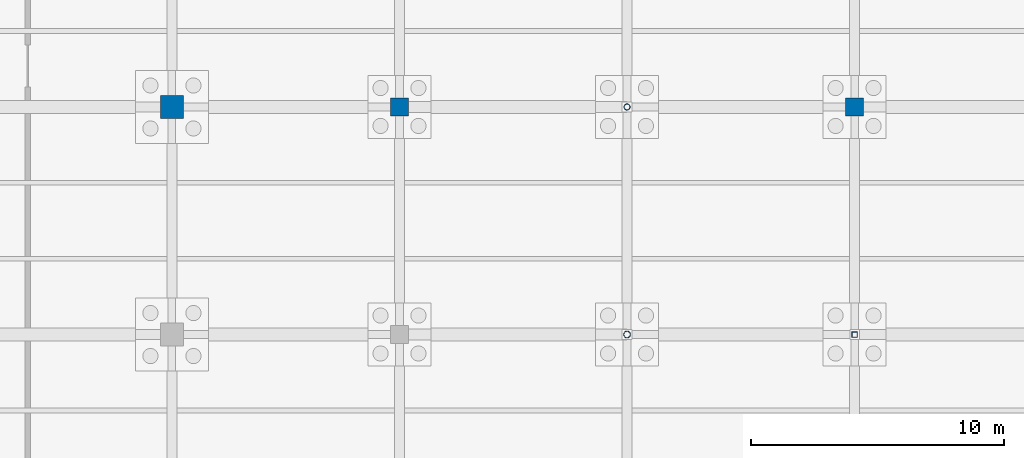
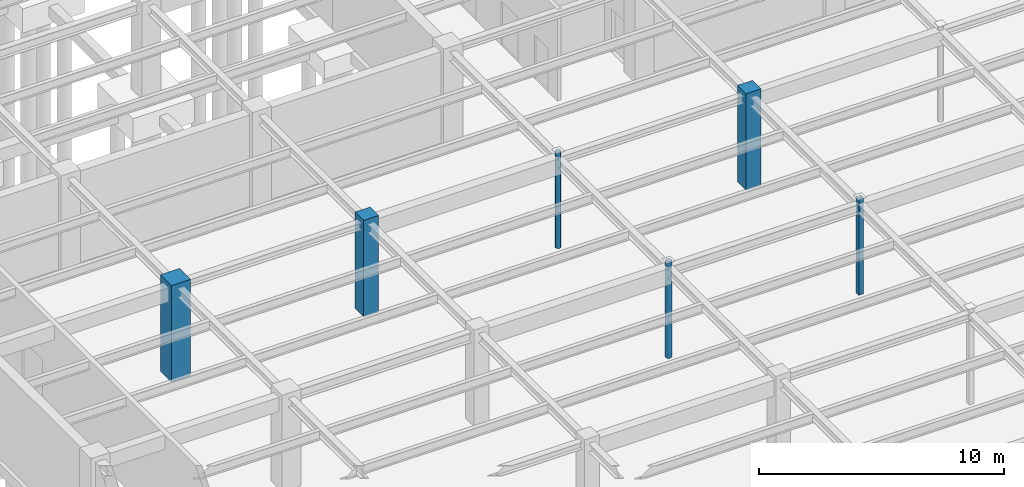
# One storey, part 20 of 49: 6 columns.
"""IFC4 building model written with IfcOpenShell, lengths in metres."""

from ifc_helpers import new_model, si_unit, direction, frame, origin, origin_2d, place, context, subcontext, project, spatial, rectangle, hollow_rectangle, hollow_circle, extrude, material, material_profile, profile_set, type_object, element, save


model = new_model("IFC4")

# Units and contexts
model_context = context("Model", 3, precision=1e-05, world=origin(), true_north=direction((0.0, 1.0)))
body_context = subcontext(model_context, "Body", "Model", "MODEL_VIEW")
ifc_project = project(units=[si_unit("LENGTHUNIT", "METRE"), si_unit("AREAUNIT", "SQUARE_METRE"), si_unit("VOLUMEUNIT", "CUBIC_METRE"), si_unit("PLANEANGLEUNIT", "RADIAN"), si_unit("MASSUNIT", "GRAM", prefix="KILO")], contexts=[model_context])

# Site, building, storey
site_placement = place(None, origin())
site = spatial("IfcSite", under=ifc_project, at=site_placement, CompositionType="ELEMENT")
building_placement = place(site_placement, origin())
building = spatial("IfcBuilding", under=site, at=building_placement, Name="Lykobir Media Centre", CompositionType="ELEMENT")
storey_placement = place(building_placement, frame((0.0, 0.0, -4.800048828125)))
storey = spatial("IfcBuildingStorey", under=building, at=storey_placement, Name="B1", CompositionType="ELEMENT", Elevation=-4.800048828125)

# Columns
ifc_material_1 = material(Name="Concrete C40/50", Category="concrete")
ifc_material_profile_1 = material_profile(ifc_material_1, rectangle(XDim=0.699951171875, YDim=0.699951171875, at=origin_2d()), Name="RC 700x700")
ifc_profile_set_1 = profile_set([ifc_material_profile_1], Name="Concrete C40/50")
column_type_1 = type_object("IfcColumnType", Name="RC-C700", PredefinedType="COLUMN", material=ifc_profile_set_1)
for number, where, z_axis, x_axis, name in (
    (1, (108.0, 63.0, 0.0), (0.0, 0.0, 1.0), (1.0, 0.0, 0.0), "Column COL-B1-1080-0630"),
    (2, (126.0, 63.0, 0.0), (0.0, 0.0, 1.0), (1.0, 0.0, 0.0), "Column COL-B1-1260-0630"),
):
    element("IfcColumn", number, at=place(storey_placement, frame(where, z_axis=z_axis, x_axis=x_axis)), inside=storey, type_object=column_type_1, Name=name, PredefinedType="COLUMN", context=body_context, shape_type="SweptSolid", body=[
        extrude(rectangle(XDim=0.699951171875, YDim=0.699951171875, at=origin_2d()), origin(), (0.0, 0.0, 1.0), 4.800048828125),
    ])
ifc_material_profile_2 = material_profile(ifc_material_1, rectangle(XDim=0.89990234375, YDim=0.89990234375, at=origin_2d()), Name="RC 900x900")
ifc_profile_set_2 = profile_set([ifc_material_profile_2], Name="Concrete C40/50")
column_type_2 = type_object("IfcColumnType", Name="RC-C900", PredefinedType="COLUMN", material=ifc_profile_set_2)
column_1_placement = place(storey_placement, frame((99.0, 63.0, 0.0), z_axis=(0.0, 0.0, 1.0), x_axis=(1.0, 0.0, 0.0)))
element("IfcColumn", 3, at=column_1_placement, inside=storey, type_object=column_type_2, Name="Column COL-B1-0990-0630", PredefinedType="COLUMN", context=body_context, shape_type="SweptSolid", body=[
    extrude(rectangle(XDim=0.89990234375, YDim=0.89990234375, at=origin_2d()), origin(), (0.0, 0.0, 1.0), 4.800048828125),
])
ifc_material_2 = material(Name="Steel S355", Category="steel")
ifc_material_profile_3 = material_profile(ifc_material_2, hollow_circle(Radius=0.122314453125, WallThickness=0.012451171875, at=origin_2d()), Name="CHS 244.5x12.5")
ifc_profile_set_3 = profile_set([ifc_material_profile_3], Name="Steel S355")
column_type_3 = type_object("IfcColumnType", Name="SC-CHS244", PredefinedType="COLUMN", material=ifc_profile_set_3)
column_2_placement = place(storey_placement, frame((117.0, 63.0, 0.0), z_axis=(0.0, 0.0, 1.0), x_axis=(1.0, 0.0, 0.0)))
element("IfcColumn", 4, at=column_2_placement, inside=storey, type_object=column_type_3, Name="Column COL-B1-1170-0630", PredefinedType="COLUMN", context=body_context, shape_type="SweptSolid", body=[
    extrude(hollow_circle(Radius=0.122314453125, WallThickness=0.012451171875, at=origin_2d()), origin(), (0.0, 0.0, 1.0), 4.800048828125),
])
ifc_material_profile_4 = material_profile(ifc_material_2, hollow_circle(Radius=0.136474609375, WallThickness=0.012451171875, at=origin_2d()), Name="CHS 273.0x12.5")
ifc_profile_set_4 = profile_set([ifc_material_profile_4], Name="Steel S355")
column_type_4 = type_object("IfcColumnType", Name="SC-CHS273", PredefinedType="COLUMN", material=ifc_profile_set_4)
column_3_placement = place(storey_placement, frame((117.0, 54.0, 0.0), z_axis=(0.0, 0.0, 1.0), x_axis=(1.0, 0.0, 0.0)))
element("IfcColumn", 5, at=column_3_placement, inside=storey, type_object=column_type_4, Name="Column COL-B1-1170-0540", PredefinedType="COLUMN", context=body_context, shape_type="SweptSolid", body=[
    extrude(hollow_circle(Radius=0.136474609375, WallThickness=0.012451171875, at=origin_2d()), origin(), (0.0, 0.0, 1.0), 4.800048828125),
])
ifc_material_profile_5 = material_profile(ifc_material_2, hollow_rectangle(XDim=0.219970703125, YDim=0.219970703125, WallThickness=0.012451171875, at=origin_2d()), Name="SHS 220x220x12.5")
ifc_profile_set_5 = profile_set([ifc_material_profile_5], Name="Steel S355")
column_type_5 = type_object("IfcColumnType", Name="SC-SHS220", PredefinedType="COLUMN", material=ifc_profile_set_5)
column_4_placement = place(storey_placement, frame((126.0, 54.0, 0.0), z_axis=(0.0, 0.0, 1.0), x_axis=(1.0, 0.0, 0.0)))
element("IfcColumn", 6, at=column_4_placement, inside=storey, type_object=column_type_5, Name="Column COL-B1-1260-0540", PredefinedType="COLUMN", context=body_context, shape_type="SweptSolid", body=[
    extrude(hollow_rectangle(XDim=0.219970703125, YDim=0.219970703125, WallThickness=0.012451171875, at=origin_2d()), origin(), (0.0, 0.0, 1.0), 4.800048828125),
])

save(model, "model.ifc")
